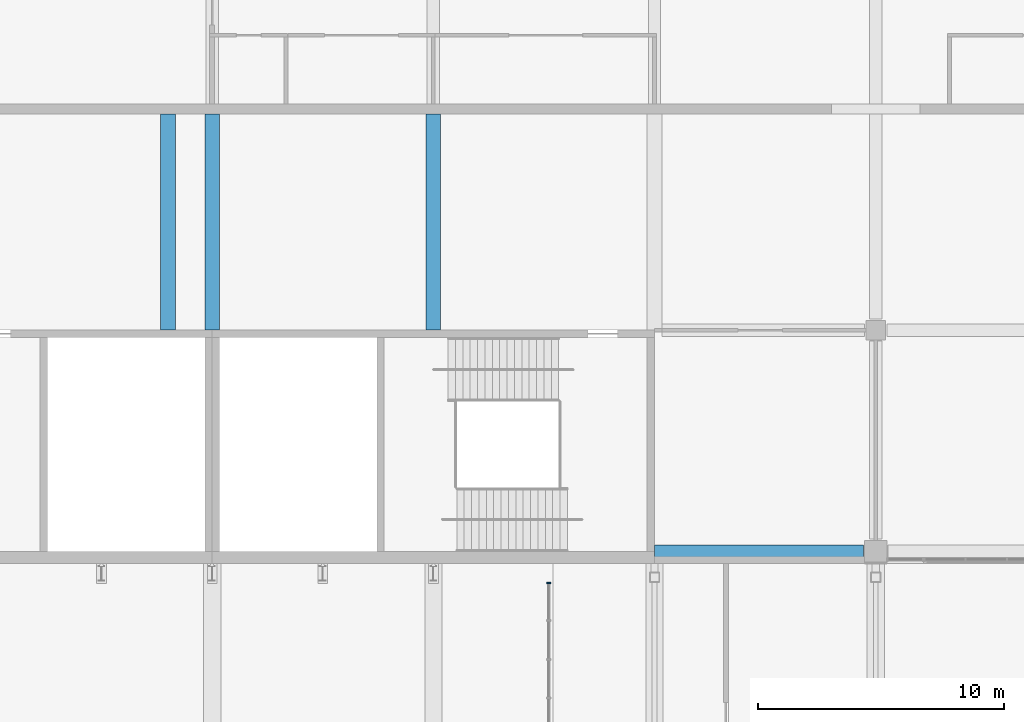
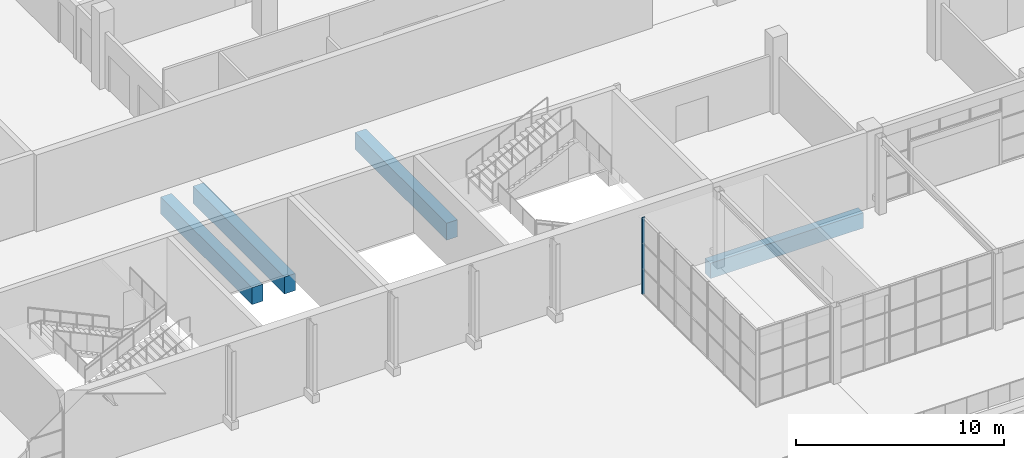
# One storey, part 31 of 168: 4 beams, 1 member, 1 element without a shape of its own.
"""IFC4 building model written with IfcOpenShell, lengths in metres."""

from ifc_helpers import new_model, si_unit, direction, frame, origin, origin_2d, place, context, subcontext, project, spatial, rectangle, extrude, material, material_profile, profile_set, type_object, element, aggregate, save


model = new_model("IFC4")

# Units and contexts
model_context = context("Model", 3, precision=1e-05, world=origin(), true_north=direction((0.0, 1.0)))
body_context = subcontext(model_context, "Body", "Model", "MODEL_VIEW")
ifc_project = project(units=[si_unit("LENGTHUNIT", "METRE"), si_unit("AREAUNIT", "SQUARE_METRE"), si_unit("VOLUMEUNIT", "CUBIC_METRE"), si_unit("PLANEANGLEUNIT", "RADIAN"), si_unit("MASSUNIT", "GRAM", prefix="KILO")], contexts=[model_context])

# Site, building, storey
site_placement = place(None, origin())
site = spatial("IfcSite", under=ifc_project, at=site_placement, CompositionType="ELEMENT")
building_placement = place(site_placement, origin())
building = spatial("IfcBuilding", under=site, at=building_placement, Name="Silverbay Arena", CompositionType="ELEMENT")
storey_placement = place(building_placement, frame((0.0, 0.0, 7.0)))
storey = spatial("IfcBuildingStorey", under=building, at=storey_placement, Name="L01", CompositionType="ELEMENT", Elevation=7.0)

# Curtain wall, member
ifc_material_1 = material(Name="Aluminium framed curtain wall", Category="aluminium")
curtain_wall_type = type_object("IfcCurtainWallType", Name="Curtain wall 11000 x 4500", PredefinedType="NOTDEFINED", material=ifc_material_1)
curtain_wall_placement = place(storey_placement, origin())
curtain_wall = element("IfcCurtainWall", 1, at=curtain_wall_placement, inside=storey, type_object=curtain_wall_type, Name="South entrance hall S1 glazing SA", PredefinedType="NOTDEFINED")
ifc_material_2 = material(Name="Aluminium", Category="aluminium")
ifc_material_profile_1 = material_profile(ifc_material_2, rectangle(XDim=0.159912109375, YDim=0.06005859375, at=origin_2d()), Name="Mullion 60 x 160")
ifc_profile_set_1 = profile_set([ifc_material_profile_1], Name="Aluminium")
member_type = type_object("IfcMemberType", Name="Mullion 60 x 160", PredefinedType="MULLION", material=ifc_profile_set_1)
member_placement = place(storey_placement, frame((112.68994140625, 16.719970703125, 0.0), z_axis=(0.0, 0.0, 1.0), x_axis=(-1.0, 0.0, 0.0)))
member = element("IfcMember", 2, at=member_placement, type_object=member_type, Name="CW36 mullion 8", PredefinedType="MULLION", context=body_context, shape_type="SweptSolid", body=[
    extrude(rectangle(XDim=0.159912109375, YDim=0.06005859375, at=origin_2d()), origin(), (0.0, 0.0, 1.0), 4.5),
])
aggregate(curtain_wall, [member])

# Beams
ifc_material_3 = material(Name="Concrete Grade C45", Category="concrete")
ifc_material_profile_2 = material_profile(ifc_material_3, rectangle(XDim=0.5, YDim=0.89990234375, at=origin_2d()), Name="RC 500x900")
ifc_profile_set_2 = profile_set([ifc_material_profile_2], Name="Concrete Grade C45")
beam_type_1 = type_object("IfcBeamType", Name="RC beam 500x900", PredefinedType="BEAM", material=ifc_profile_set_2)
beam_placement = place(storey_placement, frame((117.0, 18.0, -0.800048828125), z_axis=(1.0, 0.0, 0.0), x_axis=(0.0, 1.0, 0.0)))
element("IfcBeam", 3, at=beam_placement, inside=storey, type_object=beam_type_1, Name="Floor beam L01 004", PredefinedType="BEAM", context=body_context, shape_type="SweptSolid", body=[
    extrude(rectangle(XDim=0.5, YDim=0.89990234375, at=origin_2d()), origin(), (0.0, 0.0, 1.0), 8.5),
])
ifc_material_4 = material(Name="Concrete Grade C45", Category="concrete")
ifc_material_profile_3 = material_profile(ifc_material_4, rectangle(XDim=0.60009765625, YDim=1.0, at=origin_2d()), Name="RC 600x1000")
ifc_profile_set_3 = profile_set([ifc_material_profile_3], Name="Concrete Grade C45")
beam_type_2 = type_object("IfcBeamType", Name="RC beam 600x1000", PredefinedType="BEAM", material=ifc_profile_set_3)
for number, where, z_axis, x_axis, name in (
    (4, (97.199951171875, 27.0, -0.85009765625), (0.0, 1.0, 0.0), (-1.0, 0.0, 0.0), "Floor beam L01 243"),
    (5, (99.0, 27.0, -0.85009765625), (0.0, 1.0, 0.0), (-1.0, 0.0, 0.0), "Floor beam L01 245"),
    (6, (108.0, 27.0, -0.85009765625), (0.0, 1.0, 0.0), (-1.0, 0.0, 0.0), "Floor beam L01 253"),
):
    element("IfcBeam", number, at=place(storey_placement, frame(where, z_axis=z_axis, x_axis=x_axis)), inside=storey, type_object=beam_type_2, Name=name, PredefinedType="BEAM", context=body_context, shape_type="SweptSolid", body=[
        extrude(rectangle(XDim=0.60009765625, YDim=1.0, at=origin_2d()), origin(), (0.0, 0.0, 1.0), 8.800048828125),
    ])

save(model, "model.ifc")
